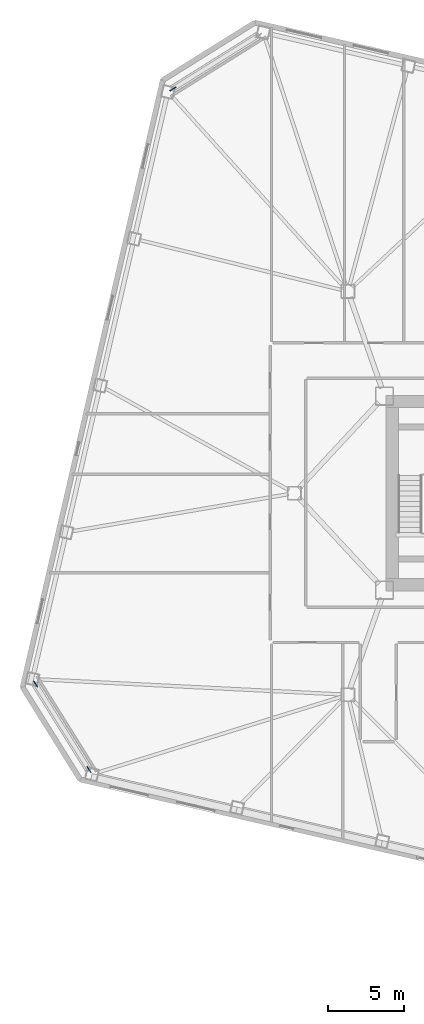
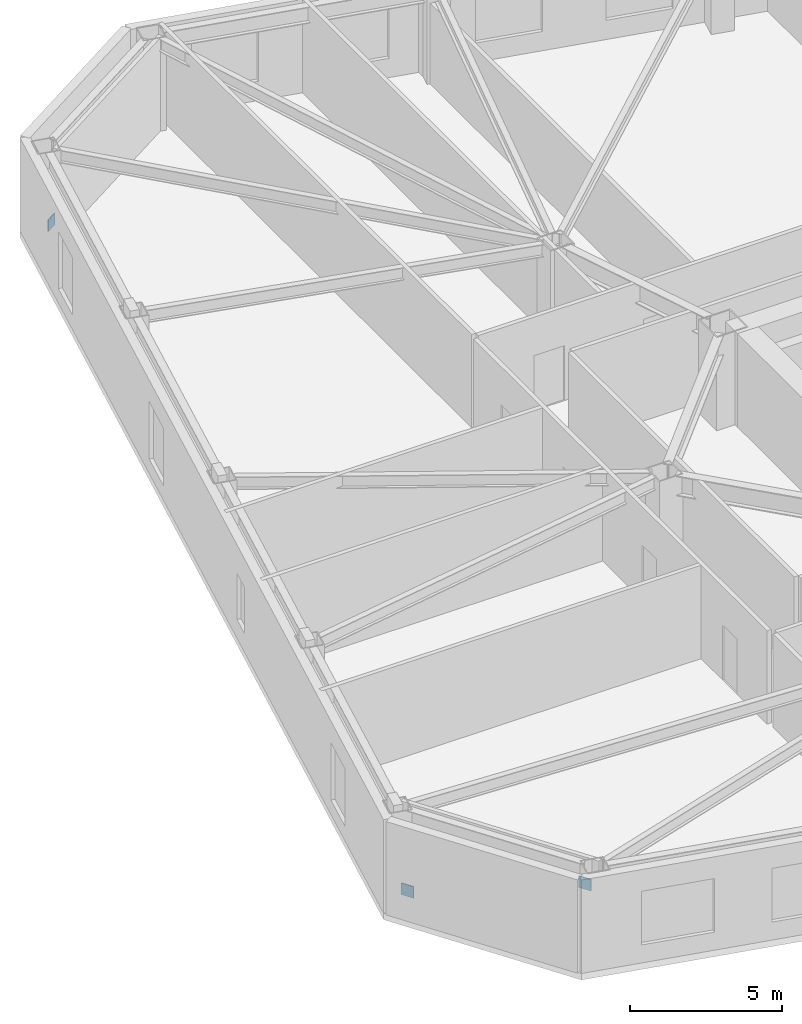
# One storey, part 17 of 21: 3 discrete accessories.
"""IFC4 building model written with IfcOpenShell, lengths in metres."""

import ifcopenshell
import ifcopenshell.guid

model = None  # the IFC model being written
_history = None  # IfcOwnerHistory: only IFC2X3 demands one
_inside = {}  # id of a spatial element -> (the spatial element, [elements in it])
_under = {}  # id of a project, library or spatial element -> (it, [spatial elements below it])
_declared = {}  # id of a project -> (the project, [libraries it declares])
_typed = {}  # id of a type object -> (the type object, [elements of that type])
_made_of = {}  # id of a material, layer set ... -> (it, [elements and type objects made of it])


def new_model(schema):
    """Start an empty IFC model of exactly this schema.

    Asked for "IFC4X3", IfcOpenShell would pick the latest addendum, in which some entities
    have other attributes; the version numbers below select the first issue.
    IFC2X3 requires an IfcOwnerHistory on every rooted entity: one is made here for all.
    """
    global model, _history
    if schema == "IFC4X3":
        model = ifcopenshell.file(schema_version=(4, 3, 0, 0))
    else:
        model = ifcopenshell.file(schema=schema)
    _inside.clear()
    _under.clear()
    _declared.clear()
    _typed.clear()
    _made_of.clear()
    _history = None
    if model.schema == "IFC2X3":
        org = make("IfcOrganization", Name="unknown")
        user = make(
            "IfcPersonAndOrganization",
            ThePerson=make("IfcPerson", FamilyName="unknown"),
            TheOrganization=org,
        )
        app = make(
            "IfcApplication",
            ApplicationDeveloper=org,
            Version="unknown",
            ApplicationFullName="unknown",
            ApplicationIdentifier="unknown",
        )
        _history = make(
            "IfcOwnerHistory",
            OwningUser=user,
            OwningApplication=app,
            ChangeAction="ADDED",
            CreationDate=0,
        )
    return model


def make(cls, **values):
    """One entity of the class cls with the attributes given. An attribute that is None is left unset."""
    return model.create_entity(
        cls, **{name: value for name, value in values.items() if value is not None}
    )


def rooted(cls, **values):
    """An entity with a GlobalId (a new one), such as an element, a storey or a relation."""
    return make(cls, GlobalId=ifcopenshell.guid.new(), OwnerHistory=_history, **values)


def si_unit(unit_type, name, prefix=None):
    """IfcSIUnit, for example si_unit("LENGTHUNIT", "METRE", prefix="MILLI")."""
    return make("IfcSIUnit", UnitType=unit_type, Prefix=prefix, Name=name)


def assignment(units):
    """IfcUnitAssignment: the units of a project."""
    return None if units is None else make("IfcUnitAssignment", Units=units)


def point(xyz):
    """IfcCartesianPoint."""
    return None if xyz is None else make("IfcCartesianPoint", Coordinates=xyz)


def direction(xyz):
    """IfcDirection."""
    return None if xyz is None else make("IfcDirection", DirectionRatios=xyz)


def frame(location, z_axis=None, x_axis=None):
    """IfcAxis2Placement3D, a coordinate frame: its origin and axes. An axis left out is left unset."""
    return make(
        "IfcAxis2Placement3D",
        Location=point(location),
        Axis=direction(z_axis),
        RefDirection=direction(x_axis),
    )


def frame_2d(location, x_axis=None):
    """IfcAxis2Placement2D, a coordinate frame in the plane: its origin and x axis."""
    return make(
        "IfcAxis2Placement2D", Location=point(location), RefDirection=direction(x_axis)
    )


def origin():
    """The frame at (0, 0, 0) with its axes left unset."""
    return frame((0.0, 0.0, 0.0))


def origin_2d():
    """The frame at (0, 0) in the plane with its x axis left unset."""
    return frame_2d((0.0, 0.0))


def place(relative_to, where):
    """IfcLocalPlacement: puts the frame where relative to a parent placement (None: the world)."""
    return make(
        "IfcLocalPlacement", PlacementRelTo=relative_to, RelativePlacement=where
    )


def context(
    kind, dimensions, precision=None, world=None, true_north=None, identifier=None
):
    """IfcGeometricRepresentationContext, for example the 3D "Model" context."""
    return make(
        "IfcGeometricRepresentationContext",
        ContextIdentifier=identifier,
        ContextType=kind,
        CoordinateSpaceDimension=dimensions,
        Precision=precision,
        WorldCoordinateSystem=world,
        TrueNorth=true_north,
    )


def subcontext(parent, identifier, kind, view, scale=None):
    """IfcGeometricRepresentationSubContext, for example "Body" below "Model"."""
    return make(
        "IfcGeometricRepresentationSubContext",
        ContextIdentifier=identifier,
        ContextType=kind,
        ParentContext=parent,
        TargetScale=scale,
        TargetView=view,
    )


def project(units=None, contexts=None):
    """IfcProject with its units and contexts."""
    return rooted(
        "IfcProject",
        Name="project",
        RepresentationContexts=contexts,
        UnitsInContext=assignment(units),
    )


def spatial(cls, under=None, at=None, **own):
    """A site, building, storey or space (cls), placed at a placement, below another one or the project."""
    s = rooted(cls, ObjectPlacement=at, **own)
    if under is not None:
        _under.setdefault(under.id(), (under, []))[1].append(s)
    return s


def profile(cls, at=None, kind="AREA", **sizes):
    """A parametric profile (cls). Its sizes go by their IFC names, for example OverallWidth=200.0."""
    return make(cls, ProfileType=kind, Position=at, **sizes)


def rectangle(**sizes):
    """IfcRectangleProfileDef."""
    return profile("IfcRectangleProfileDef", **sizes)


def extrude(swept, where, along, depth):
    """IfcExtrudedAreaSolid: the profile swept, set in the frame where, extruded along a direction by depth."""
    return make(
        "IfcExtrudedAreaSolid",
        SweptArea=swept,
        Position=where,
        ExtrudedDirection=direction(along),
        Depth=depth,
    )


def shape(context_of_items, identifier, shape_type, items):
    """IfcShapeRepresentation: the items that make up one representation, for example the "Body"."""
    return make(
        "IfcShapeRepresentation",
        ContextOfItems=context_of_items,
        RepresentationIdentifier=identifier,
        RepresentationType=shape_type,
        Items=items,
    )


def material(Name=None, Category=None):
    """IfcMaterial."""
    return make("IfcMaterial", Name=Name, Category=Category)


def made_of(thing, what):
    """Note that an element or type object is made of a material, layer set ...; save() writes the relation."""
    if what is not None:
        _made_of.setdefault(what.id(), (what, []))[1].append(thing)
    return thing


def type_object(cls, material=None, **own):
    """A type object (cls), such as IfcWallType, which elements share."""
    return made_of(rooted(cls, **own), material)


def element(
    cls,
    number,
    at=None,
    inside=None,
    cuts=None,
    type_object=None,
    material=None,
    context=None,
    identifier="Body",
    shape_type=None,
    held_by="IfcProductDefinitionShape",
    body=None,
    shapes=None,
    **own,
):
    """One element of the class cls, such as IfcWall. Its Tag is "e" and its number.

    at: its placement. inside: the storey or other place that contains it. cuts: it is an
    opening in that element (IfcRelVoidsElement). A single representation is given by context,
    identifier, shape_type and body (its items); several are given by shapes. held_by: the class
    of the entity that holds the representations. save() writes the other relations.
    """
    e = rooted(cls, Tag="e%d" % number, ObjectPlacement=at, **own)
    if body is not None:
        shapes = [shape(context, identifier, shape_type, body)]
    if shapes is not None:
        e.Representation = make(held_by, Representations=shapes)
    if inside is not None:
        _inside.setdefault(inside.id(), (inside, []))[1].append(e)
    if cuts is not None:
        rooted(
            "IfcRelVoidsElement", RelatingBuildingElement=cuts, RelatedOpeningElement=e
        )
    if type_object is not None:
        _typed.setdefault(type_object.id(), (type_object, []))[1].append(e)
    return made_of(e, material)


def aggregate(whole, parts):
    """IfcRelAggregates: a whole, such as a stair, and the parts it consists of."""
    return rooted("IfcRelAggregates", RelatingObject=whole, RelatedObjects=parts)


def save(model, path):
    """Write the relations noted so far, then the file.

    IfcRelAggregates (storeys below a building ...), IfcRelContainedInSpatialStructure (elements
    in a storey), IfcRelDefinesByType, IfcRelAssociatesMaterial and IfcRelDeclares: one each for
    every whole, place, type object, material and project.
    """
    for whole, parts in _under.values():
        aggregate(whole, parts)
    for where, things in _inside.values():
        rooted(
            "IfcRelContainedInSpatialStructure",
            RelatedElements=things,
            RelatingStructure=where,
        )
    for kind, things in _typed.values():
        rooted("IfcRelDefinesByType", RelatedObjects=things, RelatingType=kind)
    for what, things in _made_of.values():
        rooted("IfcRelAssociatesMaterial", RelatedObjects=things, RelatingMaterial=what)
    for by, libraries in _declared.values():
        rooted("IfcRelDeclares", RelatingContext=by, RelatedDefinitions=libraries)
    model.write(path)


model = new_model("IFC4")

# Units and contexts
model_context = context("Model", 3, precision=1e-05, world=origin(), true_north=direction((0.0, 1.0)))
body_context = subcontext(model_context, "Body", "Model", "MODEL_VIEW")
ifc_project = project(units=[si_unit("LENGTHUNIT", "METRE"), si_unit("AREAUNIT", "SQUARE_METRE"), si_unit("VOLUMEUNIT", "CUBIC_METRE"), si_unit("PLANEANGLEUNIT", "RADIAN"), si_unit("MASSUNIT", "GRAM", prefix="KILO")], contexts=[model_context])

# Site, building, storey
site_placement = place(None, origin())
site = spatial("IfcSite", under=ifc_project, at=site_placement, CompositionType="ELEMENT")
building_placement = place(site_placement, origin())
building = spatial("IfcBuilding", under=site, at=building_placement, Name="Tavrogorsk Clinical Tower", CompositionType="ELEMENT")
storey_placement = place(building_placement, frame((0.0, 0.0, 71.39990234375)))
storey = spatial("IfcBuildingStorey", under=building, at=storey_placement, Name="L15", CompositionType="ELEMENT", Elevation=71.39990234375)

# Discrete accessories
ifc_material = material(Name="Structural steel S440", Category="steel")
discrete_accessory_type = type_object("IfcDiscreteAccessoryType", Name="GussetPlateBracket_25", PredefinedType="BRACKET", material=ifc_material)
for number, where, z_axis, x_axis, name in (
    (1, (-35.951904296875, 26.46240234375, 0.212646484375), (0.0, 0.0, 1.0), (0.848048096156, 0.529919264233, 0.0), "L15 Brace Gusset Plate EXOCRN-L15-3-A"),
    (2, (-44.94580078125, -12.49365234375, 0.212646484375), (0.0, 0.0, 1.0), (0.529919264233, -0.848048096156, 0.0), "L15 Brace Gusset Plate EXOCRN-L15-4-A"),
    (3, (-41.453857421875, -18.081787109375, 2.667724609375), (0.0, 0.0, 1.0), (0.529919264233, -0.848048096156, 0.0), "L15 Brace Gusset Plate EXOCRN-L15-4-B"),
):
    element("IfcDiscreteAccessory", number, at=place(storey_placement, frame(where, z_axis=z_axis, x_axis=x_axis)), inside=storey, type_object=discrete_accessory_type, Name=name, PredefinedType="BRACKET", context=body_context, shape_type="SweptSolid", body=[
        extrude(rectangle(XDim=0.4599609375, YDim=0.0400390625, at=origin_2d()), origin(), (0.0, 0.0, 1.0), 0.4599609375),
    ])

save(model, "model.ifc")
